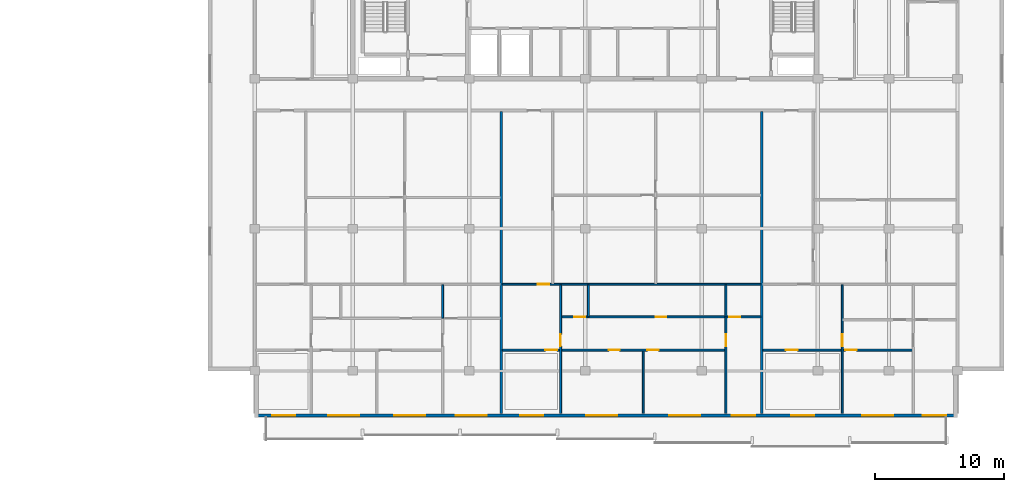
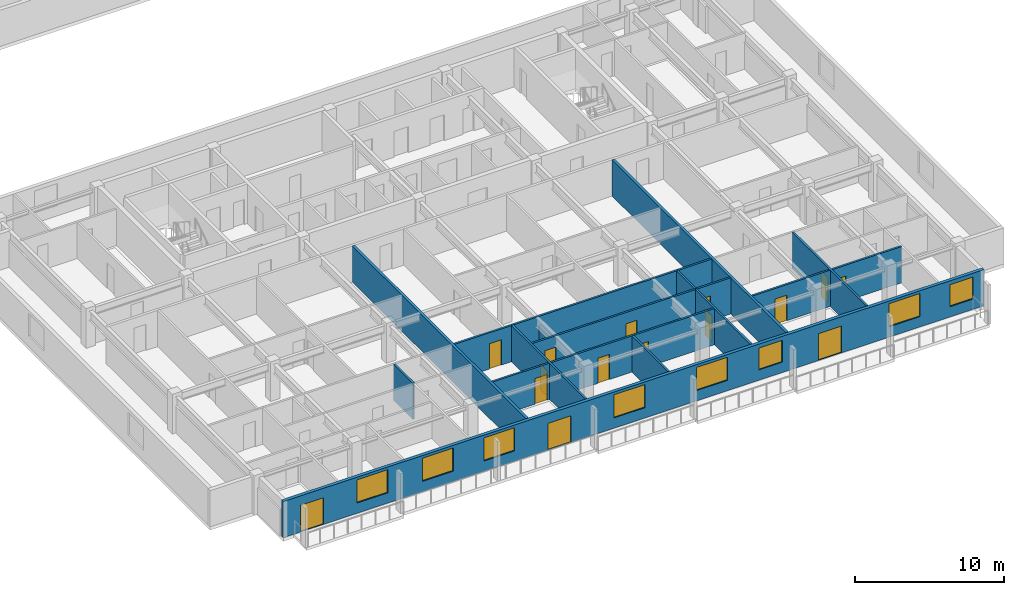
# One storey, part 5 of 24: 15 doors, 14 walls, 8 windows, 23 openings.
"""IFC4 building model written with IfcOpenShell, lengths in metres."""

from ifc_helpers import new_model, si_unit, direction, frame, frame_2d, origin, place, context, subcontext, project, spatial, rectangle, extrude, material, layer, layer_set, type_object, element, fill, save


model = new_model("IFC4")

# Units and contexts
model_context = context("Model", 3, precision=1e-05, world=origin(), true_north=direction((0.0, 1.0)))
body_context = subcontext(model_context, "Body", "Model", "MODEL_VIEW")
ifc_project = project(units=[si_unit("LENGTHUNIT", "METRE"), si_unit("AREAUNIT", "SQUARE_METRE"), si_unit("VOLUMEUNIT", "CUBIC_METRE"), si_unit("PLANEANGLEUNIT", "RADIAN"), si_unit("MASSUNIT", "GRAM", prefix="KILO")], contexts=[model_context])

# Site, building, storey
site_placement = place(None, origin())
site = spatial("IfcSite", under=ifc_project, at=site_placement, CompositionType="ELEMENT")
building_placement = place(site_placement, origin())
building = spatial("IfcBuilding", under=site, at=building_placement, Name="Korimba Cascade Residences", CompositionType="ELEMENT")
storey_placement = place(building_placement, frame((0.0, 0.0, 168.60009765625)))
storey = spatial("IfcBuildingStorey", under=building, at=storey_placement, Name="L48", CompositionType="ELEMENT", Elevation=168.60009765625)

# Wall, openings, doors, windows
ifc_material_1 = material(Name="Precast concrete C40/50", Category="concrete")
ifc_layer_1 = layer(ifc_material_1, 0.25)
ifc_layer_set_1 = layer_set([ifc_layer_1], Name="Precast concrete C40/50")
wall_type_1 = type_object("IfcWallType", Name="EW-LOG-250", PredefinedType="STANDARD", material=ifc_layer_set_1)
wall_1_placement = place(storey_placement, frame((74.5, -7.64990234375, 0.0), z_axis=(0.0, 0.0, 1.0), x_axis=(1.0, 0.0, 0.0)))
wall_1 = element("IfcWall", 1, at=wall_1_placement, inside=storey, type_object=wall_type_1, Name="L48 T2 Perimeter Stone Wall E00", PredefinedType="STANDARD", context=body_context, shape_type="SweptSolid", body=[
    extrude(rectangle(XDim=54.39990234375, YDim=0.25, at=frame_2d((27.199951171875, 0.0))), origin(), (0.0, 0.0, 1.0), 2.969970703125),
])
opening_1_placement = place(wall_1_placement, frame((5.71484375, 0.0, 0.85009765625)))
opening_1 = element("IfcOpeningElement", 2, at=opening_1_placement, cuts=wall_1, Name="Opening W-01", PredefinedType="OPENING", context=body_context, shape_type="SweptSolid", body=[
    extrude(rectangle(XDim=2.39990234375, YDim=1.89990234375, at=frame_2d((1.199951171875, 0.949951171875))), frame((0.0, 0.135009765625, 0.0), z_axis=(0.0, -1.0, 0.0), x_axis=(1.0, 0.0, 0.0)), (0.0, 0.0, 1.0), 0.27001953125),
])
opening_2_placement = place(wall_1_placement, frame((10.804443359375, 0.0, 0.85009765625)))
opening_2 = element("IfcOpeningElement", 3, at=opening_2_placement, cuts=wall_1, Name="Opening W-01", PredefinedType="OPENING", context=body_context, shape_type="SweptSolid", body=[
    extrude(rectangle(XDim=2.39990234375, YDim=1.89990234375, at=frame_2d((1.199951171875, 0.949951171875))), frame((0.0, 0.135009765625, 0.0), z_axis=(0.0, -1.0, 0.0), x_axis=(1.0, 0.0, 0.0)), (0.0, 0.0, 1.0), 0.27001953125),
])
opening_3_placement = place(wall_1_placement, frame((1.344970703125, 0.0, 0.0)))
opening_3 = element("IfcOpeningElement", 4, at=opening_3_placement, cuts=wall_1, Name="Opening D-LG1", PredefinedType="OPENING", context=body_context, shape_type="SweptSolid", body=[
    extrude(rectangle(XDim=1.800048828125, YDim=2.199951171875, at=frame_2d((0.89990234375, 1.10009765625))), frame((0.0, 0.135009765625, 0.0), z_axis=(0.0, -1.0, 0.0), x_axis=(1.0, 0.0, 0.0)), (0.0, 0.0, 1.0), 0.27001953125),
])
opening_4_placement = place(wall_1_placement, frame((15.564208984375, 0.0, 0.85009765625)))
opening_4 = element("IfcOpeningElement", 5, at=opening_4_placement, cuts=wall_1, Name="Opening W-01", PredefinedType="OPENING", context=body_context, shape_type="SweptSolid", body=[
    extrude(rectangle(XDim=2.39990234375, YDim=1.89990234375, at=frame_2d((1.199951171875, 0.949951171875))), frame((0.0, 0.135009765625, 0.0), z_axis=(0.0, -1.0, 0.0), x_axis=(1.0, 0.0, 0.0)), (0.0, 0.0, 1.0), 0.27001953125),
])
opening_5_placement = place(wall_1_placement, frame((25.679443359375, 0.0, 0.85009765625)))
opening_5 = element("IfcOpeningElement", 6, at=opening_5_placement, cuts=wall_1, Name="Opening W-01", PredefinedType="OPENING", context=body_context, shape_type="SweptSolid", body=[
    extrude(rectangle(XDim=2.39990234375, YDim=1.89990234375, at=frame_2d((1.199951171875, 0.949951171875))), frame((0.0, 0.135009765625, 0.0), z_axis=(0.0, -1.0, 0.0), x_axis=(1.0, 0.0, 0.0)), (0.0, 0.0, 1.0), 0.27001953125),
])
opening_6_placement = place(wall_1_placement, frame((32.079833984375, 0.0, 0.85009765625)))
opening_6 = element("IfcOpeningElement", 7, at=opening_6_placement, cuts=wall_1, Name="Opening W-01", PredefinedType="OPENING", context=body_context, shape_type="SweptSolid", body=[
    extrude(rectangle(XDim=2.39990234375, YDim=1.89990234375, at=frame_2d((1.199951171875, 0.949951171875))), frame((0.0, 0.135009765625, 0.0), z_axis=(0.0, -1.0, 0.0), x_axis=(1.0, 0.0, 0.0)), (0.0, 0.0, 1.0), 0.27001953125),
])
opening_7_placement = place(wall_1_placement, frame((20.54931640625, 0.0, 0.0)))
opening_7 = element("IfcOpeningElement", 8, at=opening_7_placement, cuts=wall_1, Name="Opening D-LG1", PredefinedType="OPENING", context=body_context, shape_type="SweptSolid", body=[
    extrude(rectangle(XDim=1.800048828125, YDim=2.199951171875, at=frame_2d((0.89990234375, 1.10009765625))), frame((0.0, 0.135009765625, 0.0), z_axis=(0.0, -1.0, 0.0), x_axis=(1.0, 0.0, 0.0)), (0.0, 0.0, 1.0), 0.27001953125),
])
opening_8_placement = place(wall_1_placement, frame((36.935302734375, 0.0, 0.85009765625)))
opening_8 = element("IfcOpeningElement", 9, at=opening_8_placement, cuts=wall_1, Name="Opening W-02", PredefinedType="OPENING", context=body_context, shape_type="SweptSolid", body=[
    extrude(rectangle(XDim=1.800048828125, YDim=1.800048828125, at=frame_2d((0.89990234375, 0.89990234375))), frame((0.0, 0.135009765625, 0.0), z_axis=(0.0, -1.0, 0.0), x_axis=(1.0, 0.0, 0.0)), (0.0, 0.0, 1.0), 0.27001953125),
])
opening_9_placement = place(wall_1_placement, frame((47.030029296875, 0.0, 0.85009765625)))
opening_9 = element("IfcOpeningElement", 10, at=opening_9_placement, cuts=wall_1, Name="Opening W-01", PredefinedType="OPENING", context=body_context, shape_type="SweptSolid", body=[
    extrude(rectangle(XDim=2.39990234375, YDim=1.89990234375, at=frame_2d((1.199951171875, 0.949951171875))), frame((0.0, 0.135009765625, 0.0), z_axis=(0.0, -1.0, 0.0), x_axis=(1.0, 0.0, 0.0)), (0.0, 0.0, 1.0), 0.27001953125),
])
opening_10_placement = place(wall_1_placement, frame((41.5302734375, 0.0, 0.0)))
opening_10 = element("IfcOpeningElement", 11, at=opening_10_placement, cuts=wall_1, Name="Opening D-LG1", PredefinedType="OPENING", context=body_context, shape_type="SweptSolid", body=[
    extrude(rectangle(XDim=1.800048828125, YDim=2.199951171875, at=frame_2d((0.89990234375, 1.10009765625))), frame((0.0, 0.135009765625, 0.0), z_axis=(0.0, -1.0, 0.0), x_axis=(1.0, 0.0, 0.0)), (0.0, 0.0, 1.0), 0.27001953125),
])
opening_11_placement = place(wall_1_placement, frame((51.72998046875, 0.0, 0.85009765625)))
opening_11 = element("IfcOpeningElement", 12, at=opening_11_placement, cuts=wall_1, Name="Opening W-02", PredefinedType="OPENING", context=body_context, shape_type="SweptSolid", body=[
    extrude(rectangle(XDim=1.800048828125, YDim=1.800048828125, at=frame_2d((0.89990234375, 0.89990234375))), frame((0.0, 0.135009765625, 0.0), z_axis=(0.0, -1.0, 0.0), x_axis=(1.0, 0.0, 0.0)), (0.0, 0.0, 1.0), 0.27001953125),
])
ifc_material_2 = material(Name="Glazed Aluminium Loggia Sliding Door", Category="aluminium")
door_type_1 = type_object("IfcDoorType", Name="DR-EXT-LOG", OperationType="NOTDEFINED", PredefinedType="DOOR", material=ifc_material_2)
door_1_placement = place(opening_3_placement, origin())
door_1 = element("IfcDoor", 13, at=door_1_placement, inside=storey, type_object=door_type_1, Name="L48 T2 Loggia Sliding Door 5", OperationType="SLIDING_TO_RIGHT", OverallHeight=2.199951171875, OverallWidth=1.800048828125, PredefinedType="DOOR", context=body_context, shape_type="SweptSolid", body=[
    extrude(rectangle(XDim=1.800048828125, YDim=2.199951171875, at=frame_2d((0.89990234375, 1.10009765625))), frame((0.0, 0.02490234375, 0.0), z_axis=(0.0, -1.0, 0.0), x_axis=(1.0, 0.0, 0.0)), (0.0, 0.0, 1.0), 0.050048828125),
])
fill(opening_3, door_1)
door_2_placement = place(opening_7_placement, origin())
door_2 = element("IfcDoor", 14, at=door_2_placement, inside=storey, type_object=door_type_1, Name="L48 T2 Loggia Sliding Door 9", OperationType="SLIDING_TO_RIGHT", OverallHeight=2.199951171875, OverallWidth=1.800048828125, PredefinedType="DOOR", context=body_context, shape_type="SweptSolid", body=[
    extrude(rectangle(XDim=1.800048828125, YDim=2.199951171875, at=frame_2d((0.89990234375, 1.10009765625))), frame((0.0, 0.02490234375, 0.0), z_axis=(0.0, -1.0, 0.0), x_axis=(1.0, 0.0, 0.0)), (0.0, 0.0, 1.0), 0.050048828125),
])
fill(opening_7, door_2)
door_3_placement = place(opening_10_placement, origin())
door_3 = element("IfcDoor", 15, at=door_3_placement, inside=storey, type_object=door_type_1, Name="L48 T2 Loggia Sliding Door 12", OperationType="SLIDING_TO_RIGHT", OverallHeight=2.199951171875, OverallWidth=1.800048828125, PredefinedType="DOOR", context=body_context, shape_type="SweptSolid", body=[
    extrude(rectangle(XDim=1.800048828125, YDim=2.199951171875, at=frame_2d((0.89990234375, 1.10009765625))), frame((0.0, 0.02490234375, 0.0), z_axis=(0.0, -1.0, 0.0), x_axis=(1.0, 0.0, 0.0)), (0.0, 0.0, 1.0), 0.050048828125),
])
fill(opening_10, door_3)
ifc_material_3 = material(Name="Double-Glazed Aluminium Window", Category="aluminium")
window_type_1 = type_object("IfcWindowType", Name="WIN-BED-1800", PartitioningType="SINGLE_PANEL", PredefinedType="WINDOW", material=ifc_material_3)
window_1_placement = place(opening_8_placement, origin())
window_1 = element("IfcWindow", 16, at=window_1_placement, inside=storey, type_object=window_type_1, Name="L48 T2 South Facade Window 10", OverallHeight=1.800048828125, OverallWidth=1.800048828125, PartitioningType="SINGLE_PANEL", PredefinedType="WINDOW", context=body_context, shape_type="SweptSolid", body=[
    extrude(rectangle(XDim=1.800048828125, YDim=1.800048828125, at=frame_2d((0.89990234375, 0.89990234375))), frame((0.0, 0.030029296875, 0.0), z_axis=(0.0, -1.0, 0.0), x_axis=(1.0, 0.0, 0.0)), (0.0, 0.0, 1.0), 0.06005859375),
])
fill(opening_8, window_1)
window_2_placement = place(opening_11_placement, origin())
window_2 = element("IfcWindow", 17, at=window_2_placement, inside=storey, type_object=window_type_1, Name="L48 T2 South Facade Window 13", OverallHeight=1.800048828125, OverallWidth=1.800048828125, PartitioningType="SINGLE_PANEL", PredefinedType="WINDOW", context=body_context, shape_type="SweptSolid", body=[
    extrude(rectangle(XDim=1.800048828125, YDim=1.800048828125, at=frame_2d((0.89990234375, 0.89990234375))), frame((0.0, 0.030029296875, 0.0), z_axis=(0.0, -1.0, 0.0), x_axis=(1.0, 0.0, 0.0)), (0.0, 0.0, 1.0), 0.06005859375),
])
fill(opening_11, window_2)
window_type_2 = type_object("IfcWindowType", Name="WIN-RES-2400", PartitioningType="DOUBLE_PANEL_VERTICAL", PredefinedType="WINDOW", material=ifc_material_3)
window_3_placement = place(opening_1_placement, origin())
window_3 = element("IfcWindow", 18, at=window_3_placement, inside=storey, type_object=window_type_2, Name="L48 T2 South Facade Window 3", OverallHeight=1.89990234375, OverallWidth=2.39990234375, PartitioningType="DOUBLE_PANEL_VERTICAL", PredefinedType="WINDOW", context=body_context, shape_type="SweptSolid", body=[
    extrude(rectangle(XDim=2.39990234375, YDim=1.89990234375, at=frame_2d((1.199951171875, 0.949951171875))), frame((0.0, 0.030029296875, 0.0), z_axis=(0.0, -1.0, 0.0), x_axis=(1.0, 0.0, 0.0)), (0.0, 0.0, 1.0), 0.06005859375),
])
fill(opening_1, window_3)
window_4_placement = place(opening_2_placement, origin())
window_4 = element("IfcWindow", 19, at=window_4_placement, inside=storey, type_object=window_type_2, Name="L48 T2 South Facade Window 4", OverallHeight=1.89990234375, OverallWidth=2.39990234375, PartitioningType="DOUBLE_PANEL_VERTICAL", PredefinedType="WINDOW", context=body_context, shape_type="SweptSolid", body=[
    extrude(rectangle(XDim=2.39990234375, YDim=1.89990234375, at=frame_2d((1.199951171875, 0.949951171875))), frame((0.0, 0.030029296875, 0.0), z_axis=(0.0, -1.0, 0.0), x_axis=(1.0, 0.0, 0.0)), (0.0, 0.0, 1.0), 0.06005859375),
])
fill(opening_2, window_4)
window_5_placement = place(opening_4_placement, origin())
window_5 = element("IfcWindow", 20, at=window_5_placement, inside=storey, type_object=window_type_2, Name="L48 T2 South Facade Window 6", OverallHeight=1.89990234375, OverallWidth=2.39990234375, PartitioningType="DOUBLE_PANEL_VERTICAL", PredefinedType="WINDOW", context=body_context, shape_type="SweptSolid", body=[
    extrude(rectangle(XDim=2.39990234375, YDim=1.89990234375, at=frame_2d((1.199951171875, 0.949951171875))), frame((0.0, 0.030029296875, 0.0), z_axis=(0.0, -1.0, 0.0), x_axis=(1.0, 0.0, 0.0)), (0.0, 0.0, 1.0), 0.06005859375),
])
fill(opening_4, window_5)
window_6_placement = place(opening_5_placement, origin())
window_6 = element("IfcWindow", 21, at=window_6_placement, inside=storey, type_object=window_type_2, Name="L48 T2 South Facade Window 7", OverallHeight=1.89990234375, OverallWidth=2.39990234375, PartitioningType="DOUBLE_PANEL_VERTICAL", PredefinedType="WINDOW", context=body_context, shape_type="SweptSolid", body=[
    extrude(rectangle(XDim=2.39990234375, YDim=1.89990234375, at=frame_2d((1.199951171875, 0.949951171875))), frame((0.0, 0.030029296875, 0.0), z_axis=(0.0, -1.0, 0.0), x_axis=(1.0, 0.0, 0.0)), (0.0, 0.0, 1.0), 0.06005859375),
])
fill(opening_5, window_6)
window_7_placement = place(opening_6_placement, origin())
window_7 = element("IfcWindow", 22, at=window_7_placement, inside=storey, type_object=window_type_2, Name="L48 T2 South Facade Window 8", OverallHeight=1.89990234375, OverallWidth=2.39990234375, PartitioningType="DOUBLE_PANEL_VERTICAL", PredefinedType="WINDOW", context=body_context, shape_type="SweptSolid", body=[
    extrude(rectangle(XDim=2.39990234375, YDim=1.89990234375, at=frame_2d((1.199951171875, 0.949951171875))), frame((0.0, 0.030029296875, 0.0), z_axis=(0.0, -1.0, 0.0), x_axis=(1.0, 0.0, 0.0)), (0.0, 0.0, 1.0), 0.06005859375),
])
fill(opening_6, window_7)
window_8_placement = place(opening_9_placement, origin())
window_8 = element("IfcWindow", 23, at=window_8_placement, inside=storey, type_object=window_type_2, Name="L48 T2 South Facade Window 11", OverallHeight=1.89990234375, OverallWidth=2.39990234375, PartitioningType="DOUBLE_PANEL_VERTICAL", PredefinedType="WINDOW", context=body_context, shape_type="SweptSolid", body=[
    extrude(rectangle(XDim=2.39990234375, YDim=1.89990234375, at=frame_2d((1.199951171875, 0.949951171875))), frame((0.0, 0.030029296875, 0.0), z_axis=(0.0, -1.0, 0.0), x_axis=(1.0, 0.0, 0.0)), (0.0, 0.0, 1.0), 0.06005859375),
])
fill(opening_9, window_8)

# Walls
ifc_layer_2 = layer(ifc_material_1, 0.199951171875)
ifc_layer_set_2 = layer_set([ifc_layer_2], Name="Precast concrete C40/50")
wall_type_2 = type_object("IfcWallType", Name="WAL-IT-200", PredefinedType="PARTITIONING", material=ifc_layer_set_2)
for number, where, z_axis, x_axis, name in (
    (24, (93.59912109375, -7.5, 0.0), (0.0, 0.0, 1.0), (0.0, 1.0, 0.0), "L48 Partition Wall WAL-L48-T2-DEM-1"),
    (25, (113.760498046875, -7.5, 0.0), (0.0, 0.0, 1.0), (0.0, 1.0, 0.0), "L48 Partition Wall WAL-L48-T2-DEM-2"),
):
    element("IfcWall", number, at=place(storey_placement, frame(where, z_axis=z_axis, x_axis=x_axis)), inside=storey, type_object=wall_type_2, Name=name, PredefinedType="PARTITIONING", context=body_context, shape_type="SweptSolid", body=[
        extrude(rectangle(XDim=23.3701171875, YDim=0.199951171875, at=frame_2d((11.68505859375, 0.0))), origin(), (0.0, 0.0, 1.0), 2.969970703125),
    ])
ifc_material_4 = material(Name="Insulated Acoustic Stud Partition", Category="gypsum")
ifc_layer_3 = layer(ifc_material_4, 0.14990234375)
ifc_layer_set_3 = layer_set([ifc_layer_3], Name="Insulated Acoustic Stud Partition")
wall_type_3 = type_object("IfcWallType", Name="WAL-PART-150", PredefinedType="PARTITIONING", material=ifc_layer_set_3)
wall_2_placement = place(storey_placement, frame((89.04931640625, -0.1201171875, 0.0), z_axis=(0.0, 0.0, 1.0), x_axis=(0.0, 1.0, 0.0)))
element("IfcWall", 26, at=wall_2_placement, inside=storey, type_object=wall_type_3, Name="L48 Partition Wall WAL-L48-T2-U01-VBATH", PredefinedType="PARTITIONING", context=body_context, shape_type="SweptSolid", body=[
    extrude(rectangle(XDim=2.580078125, YDim=0.14990234375, at=frame_2d((1.2900390625, 0.0))), origin(), (0.0, 0.0, 1.0), 2.969970703125),
])
wall_3_placement = place(storey_placement, frame((100.3291015625, -0.010009765625, 0.0), z_axis=(0.0, 0.0, 1.0), x_axis=(0.0, 1.0, 0.0)))
element("IfcWall", 27, at=wall_3_placement, inside=storey, type_object=wall_type_3, Name="L48 Partition Wall WAL-L48-T2-U02-VDRS", PredefinedType="PARTITIONING", context=body_context, shape_type="SweptSolid", body=[
    extrude(rectangle(XDim=2.469970703125, YDim=0.14990234375, at=frame_2d((1.23486328125, 0.0))), origin(), (0.0, 0.0, 1.0), 2.2001953125),
])
wall_4_placement = place(storey_placement, frame((104.57958984375, -7.5, 0.0), z_axis=(0.0, 0.0, 1.0), x_axis=(0.0, 1.0, 0.0)))
element("IfcWall", 28, at=wall_4_placement, inside=storey, type_object=wall_type_3, Name="L48 Partition Wall WAL-L48-T2-U02-VB3", PredefinedType="PARTITIONING", context=body_context, shape_type="SweptSolid", body=[
    extrude(rectangle(XDim=4.820068359375, YDim=0.14990234375, at=frame_2d((2.41015625, 0.0))), origin(), (0.0, 0.0, 1.0), 2.969970703125),
])

# Wall, opening, door
wall_5_placement = place(storey_placement, frame((98.17919921875, -7.5, 0.0), z_axis=(0.0, 0.0, 1.0), x_axis=(0.0, 1.0, 0.0)))
wall_5 = element("IfcWall", 29, at=wall_5_placement, inside=storey, type_object=wall_type_3, Name="L48 Partition Wall WAL-L48-T2-U02-V1", PredefinedType="PARTITIONING", context=body_context, shape_type="SweptSolid", body=[
    extrude(rectangle(XDim=9.9599609375, YDim=0.14990234375, at=frame_2d((4.97998046875, 0.0))), origin(), (0.0, 0.0, 1.0), 2.969970703125),
])
opening_12_placement = place(wall_5_placement, frame((5.219970703125, 0.0, 0.0)))
opening_12 = element("IfcOpeningElement", 30, at=opening_12_placement, cuts=wall_5, Name="Opening D-IN1", PredefinedType="OPENING", context=body_context, shape_type="SweptSolid", body=[
    extrude(rectangle(XDim=0.919921875, YDim=2.080078125, at=frame_2d((0.4599609375, 1.0400390625))), frame((0.0, 0.0849609375, 0.0), z_axis=(0.0, -1.0, 0.0), x_axis=(1.0, 0.0, 0.0)), (0.0, 0.0, 1.0), 0.169921875),
])
ifc_material_5 = material(Name="Acoustic Timber Living Door", Category="wood")
door_type_2 = type_object("IfcDoorType", Name="DR-INT-920", OperationType="NOTDEFINED", PredefinedType="DOOR", material=ifc_material_5)
door_4_placement = place(opening_12_placement, origin())
door_4 = element("IfcDoor", 31, at=door_4_placement, inside=storey, type_object=door_type_2, Name="L48-T2-U02 Hallway Door", OperationType="SINGLE_SWING_LEFT", OverallHeight=2.080078125, OverallWidth=0.919921875, PredefinedType="DOOR", context=body_context, shape_type="SweptSolid", body=[
    extrude(rectangle(XDim=0.919921875, YDim=2.080078125, at=frame_2d((0.4599609375, 1.0400390625))), frame((0.0, 0.02490234375, 0.0), z_axis=(0.0, -1.0, 0.0), x_axis=(1.0, 0.0, 0.0)), (0.0, 0.0, 1.0), 0.050048828125),
])
fill(opening_12, door_4)

# Wall
wall_6_placement = place(storey_placement, frame((110.97998046875, -0.010009765625, 0.0), z_axis=(0.0, 0.0, 1.0), x_axis=(0.0, 1.0, 0.0)))
element("IfcWall", 32, at=wall_6_placement, inside=storey, type_object=wall_type_3, Name="L48 Partition Wall WAL-L48-T2-U02-VBATH", PredefinedType="PARTITIONING", context=body_context, shape_type="SweptSolid", body=[
    extrude(rectangle(XDim=2.469970703125, YDim=0.14990234375, at=frame_2d((1.23486328125, 0.0))), origin(), (0.0, 0.0, 1.0), 2.969970703125),
])

# Wall, opening, door
wall_7_placement = place(storey_placement, frame((110.97998046875, -7.5, 0.0), z_axis=(0.0, 0.0, 1.0), x_axis=(0.0, 1.0, 0.0)))
wall_7 = element("IfcWall", 33, at=wall_7_placement, inside=storey, type_object=wall_type_3, Name="L48 Partition Wall WAL-L48-T2-U02-V2FULL", PredefinedType="PARTITIONING", context=body_context, shape_type="SweptSolid", body=[
    extrude(rectangle(XDim=7.449951171875, YDim=0.14990234375, at=frame_2d((3.72509765625, 0.0))), origin(), (0.0, 0.0, 1.0), 2.969970703125),
])
opening_13_placement = place(wall_7_placement, frame((5.219970703125, 0.0, 0.0)))
opening_13 = element("IfcOpeningElement", 34, at=opening_13_placement, cuts=wall_7, Name="Opening D-IN1", PredefinedType="OPENING", context=body_context, shape_type="SweptSolid", body=[
    extrude(rectangle(XDim=0.919921875, YDim=2.080078125, at=frame_2d((0.4599609375, 1.0400390625))), frame((0.0, 0.0849609375, 0.0), z_axis=(0.0, -1.0, 0.0), x_axis=(1.0, 0.0, 0.0)), (0.0, 0.0, 1.0), 0.169921875),
])
door_5_placement = place(opening_13_placement, origin())
door_5 = element("IfcDoor", 35, at=door_5_placement, inside=storey, type_object=door_type_2, Name="L48-T2-U02 Master Bedroom Door", OperationType="SINGLE_SWING_RIGHT", OverallHeight=2.080078125, OverallWidth=0.919921875, PredefinedType="DOOR", context=body_context, shape_type="SweptSolid", body=[
    extrude(rectangle(XDim=0.919921875, YDim=2.080078125, at=frame_2d((0.4599609375, 1.0400390625))), frame((0.0, 0.02490234375, 0.0), z_axis=(0.0, -1.0, 0.0), x_axis=(1.0, 0.0, 0.0)), (0.0, 0.0, 1.0), 0.050048828125),
])
fill(opening_13, door_5)

# Wall, openings, doors
wall_8_placement = place(storey_placement, frame((98.21923828125, -0.030029296875, 0.0), z_axis=(0.0, 0.0, 1.0), x_axis=(1.0, 0.0, 0.0)))
wall_8 = element("IfcWall", 36, at=wall_8_placement, inside=storey, type_object=wall_type_3, Name="L48 Partition Wall WAL-L48-T2-U02-HWALL", PredefinedType="PARTITIONING", context=body_context, shape_type="SweptSolid", body=[
    extrude(rectangle(XDim=15.461181640625, YDim=0.14990234375, at=frame_2d((7.73046875, 0.0))), origin(), (0.0, 0.0, 1.0), 2.969970703125),
])
opening_14_placement = place(wall_8_placement, frame((1.033935546875, 0.0, 0.0)))
opening_14 = element("IfcOpeningElement", 37, at=opening_14_placement, cuts=wall_8, Name="Opening D-BT1", PredefinedType="OPENING", context=body_context, shape_type="SweptSolid", body=[
    extrude(rectangle(XDim=0.840087890625, YDim=2.0400390625, at=frame_2d((0.419921875, 1.02001953125))), frame((0.0, 0.0849609375, 0.0), z_axis=(0.0, -1.0, 0.0), x_axis=(1.0, 0.0, 0.0)), (0.0, 0.0, 1.0), 0.169921875),
])
opening_15_placement = place(wall_8_placement, frame((7.310546875, 0.0, 0.0)))
opening_15 = element("IfcOpeningElement", 38, at=opening_15_placement, cuts=wall_8, Name="Opening D-BT1", PredefinedType="OPENING", context=body_context, shape_type="SweptSolid", body=[
    extrude(rectangle(XDim=0.840087890625, YDim=2.0400390625, at=frame_2d((0.419921875, 1.02001953125))), frame((0.0, 0.0849609375, 0.0), z_axis=(0.0, -1.0, 0.0), x_axis=(1.0, 0.0, 0.0)), (0.0, 0.0, 1.0), 0.169921875),
])
opening_16_placement = place(wall_8_placement, frame((13.0107421875, 0.0, 0.0)))
opening_16 = element("IfcOpeningElement", 39, at=opening_16_placement, cuts=wall_8, Name="Opening D-BT1", PredefinedType="OPENING", context=body_context, shape_type="SweptSolid", body=[
    extrude(rectangle(XDim=0.840087890625, YDim=2.0400390625, at=frame_2d((0.419921875, 1.02001953125))), frame((0.0, 0.0849609375, 0.0), z_axis=(0.0, -1.0, 0.0), x_axis=(1.0, 0.0, 0.0)), (0.0, 0.0, 1.0), 0.169921875),
])
ifc_material_6 = material(Name="Moisture-Resistant Bathroom Timber Door", Category="wood")
door_type_3 = type_object("IfcDoorType", Name="DR-INT-850", OperationType="NOTDEFINED", PredefinedType="DOOR", material=ifc_material_6)
door_6_placement = place(opening_14_placement, origin())
door_6 = element("IfcDoor", 40, at=door_6_placement, inside=storey, type_object=door_type_3, Name="L48-T2-U02 Family Bathroom Door", OperationType="SINGLE_SWING_LEFT", OverallHeight=2.0400390625, OverallWidth=0.840087890625, PredefinedType="DOOR", context=body_context, shape_type="SweptSolid", body=[
    extrude(rectangle(XDim=0.840087890625, YDim=2.0400390625, at=frame_2d((0.419921875, 1.02001953125))), frame((0.0, 0.02490234375, 0.0), z_axis=(0.0, -1.0, 0.0), x_axis=(1.0, 0.0, 0.0)), (0.0, 0.0, 1.0), 0.050048828125),
])
fill(opening_14, door_6)
door_7_placement = place(opening_15_placement, origin())
door_7 = element("IfcDoor", 41, at=door_7_placement, inside=storey, type_object=door_type_3, Name="L48-T2-U02 Dressing Room Door", OperationType="SINGLE_SWING_RIGHT", OverallHeight=2.0400390625, OverallWidth=0.840087890625, PredefinedType="DOOR", context=body_context, shape_type="SweptSolid", body=[
    extrude(rectangle(XDim=0.840087890625, YDim=2.0400390625, at=frame_2d((0.419921875, 1.02001953125))), frame((0.0, 0.02490234375, 0.0), z_axis=(0.0, -1.0, 0.0), x_axis=(1.0, 0.0, 0.0)), (0.0, 0.0, 1.0), 0.050048828125),
])
fill(opening_15, door_7)
door_8_placement = place(opening_16_placement, origin())
door_8 = element("IfcDoor", 42, at=door_8_placement, inside=storey, type_object=door_type_3, Name="L48-T2-U02 En-Suite Door", OperationType="SINGLE_SWING_LEFT", OverallHeight=2.0400390625, OverallWidth=0.840087890625, PredefinedType="DOOR", context=body_context, shape_type="SweptSolid", body=[
    extrude(rectangle(XDim=0.840087890625, YDim=2.0400390625, at=frame_2d((0.419921875, 1.02001953125))), frame((0.0, 0.02490234375, 0.0), z_axis=(0.0, -1.0, 0.0), x_axis=(1.0, 0.0, 0.0)), (0.0, 0.0, 1.0), 0.050048828125),
])
fill(opening_16, door_8)

# Wall, opening, door
wall_9_placement = place(storey_placement, frame((93.67919921875, 2.5, 0.0), z_axis=(0.0, 0.0, 1.0), x_axis=(1.0, 0.0, 0.0)))
wall_9 = element("IfcWall", 43, at=wall_9_placement, inside=storey, type_object=wall_type_3, Name="L48 Partition Wall WAL-L48-T2-U02-MW", PredefinedType="PARTITIONING", context=body_context, shape_type="SweptSolid", body=[
    extrude(rectangle(XDim=20.001220703125, YDim=0.14990234375, at=frame_2d((10.00048828125, 0.0))), origin(), (0.0, 0.0, 1.0), 2.969970703125),
])
opening_17_placement = place(wall_9_placement, frame((2.719970703125, 0.0, 0.0)))
opening_17 = element("IfcOpeningElement", 44, at=opening_17_placement, cuts=wall_9, Name="Opening D-IN1", PredefinedType="OPENING", context=body_context, shape_type="SweptSolid", body=[
    extrude(rectangle(XDim=0.919921875, YDim=2.080078125, at=frame_2d((0.4599609375, 1.0400390625))), frame((0.0, 0.0849609375, 0.0), z_axis=(0.0, -1.0, 0.0), x_axis=(1.0, 0.0, 0.0)), (0.0, 0.0, 1.0), 0.169921875),
])
door_9_placement = place(opening_17_placement, origin())
door_9 = element("IfcDoor", 45, at=door_9_placement, inside=storey, type_object=door_type_2, Name="L48-T2-U02 Kitchen Door", OperationType="SINGLE_SWING_RIGHT", OverallHeight=2.080078125, OverallWidth=0.919921875, PredefinedType="DOOR", context=body_context, shape_type="SweptSolid", body=[
    extrude(rectangle(XDim=0.919921875, YDim=2.080078125, at=frame_2d((0.4599609375, 1.0400390625))), frame((0.0, 0.02490234375, 0.0), z_axis=(0.0, -1.0, 0.0), x_axis=(1.0, 0.0, 0.0)), (0.0, 0.0, 1.0), 0.050048828125),
])
fill(opening_17, door_9)

# Wall, openings, doors
wall_10_placement = place(storey_placement, frame((93.67919921875, -2.60009765625, 0.0), z_axis=(0.0, 0.0, 1.0), x_axis=(1.0, 0.0, 0.0)))
wall_10 = element("IfcWall", 46, at=wall_10_placement, inside=storey, type_object=wall_type_3, Name="L48 Partition Wall WAL-L48-T2-U02-HZ", PredefinedType="PARTITIONING", context=body_context, shape_type="SweptSolid", body=[
    extrude(rectangle(XDim=17.30078125, YDim=0.14990234375, at=frame_2d((8.650390625, 0.0))), origin(), (0.0, 0.0, 1.0), 2.969970703125),
])
opening_18_placement = place(wall_10_placement, frame((3.31005859375, 0.0, 0.0)))
opening_18 = element("IfcOpeningElement", 47, at=opening_18_placement, cuts=wall_10, Name="Opening D-IN0", PredefinedType="OPENING", context=body_context, shape_type="SweptSolid", body=[
    extrude(rectangle(XDim=0.93994140625, YDim=2.10009765625, at=frame_2d((0.469970703125, 1.050048828125))), frame((0.0, 0.0849609375, 0.0), z_axis=(0.0, -1.0, 0.0), x_axis=(1.0, 0.0, 0.0)), (0.0, 0.0, 1.0), 0.169921875),
])
opening_19_placement = place(wall_10_placement, frame((8.21044921875, 0.0, 0.0)))
opening_19 = element("IfcOpeningElement", 48, at=opening_19_placement, cuts=wall_10, Name="Opening D-IN2", PredefinedType="OPENING", context=body_context, shape_type="SweptSolid", body=[
    extrude(rectangle(XDim=0.8798828125, YDim=2.06005859375, at=frame_2d((0.43994140625, 1.030029296875))), frame((0.0, 0.0849609375, 0.0), z_axis=(0.0, -1.0, 0.0), x_axis=(1.0, 0.0, 0.0)), (0.0, 0.0, 1.0), 0.169921875),
])
opening_20_placement = place(wall_10_placement, frame((11.221923828125, 0.0, 0.0)))
opening_20 = element("IfcOpeningElement", 49, at=opening_20_placement, cuts=wall_10, Name="Opening D-IN2", PredefinedType="OPENING", context=body_context, shape_type="SweptSolid", body=[
    extrude(rectangle(XDim=0.8798828125, YDim=2.06005859375, at=frame_2d((0.43994140625, 1.030029296875))), frame((0.0, 0.0849609375, 0.0), z_axis=(0.0, -1.0, 0.0), x_axis=(1.0, 0.0, 0.0)), (0.0, 0.0, 1.0), 0.169921875),
])
ifc_material_7 = material(Name="Acoustic Timber Bedroom Door", Category="wood")
door_type_4 = type_object("IfcDoorType", Name="DR-INT-880", OperationType="NOTDEFINED", PredefinedType="DOOR", material=ifc_material_7)
door_10_placement = place(opening_19_placement, origin())
door_10 = element("IfcDoor", 50, at=door_10_placement, inside=storey, type_object=door_type_4, Name="L48-T2-U02 Bedroom 2 Door", OperationType="SINGLE_SWING_RIGHT", OverallHeight=2.06005859375, OverallWidth=0.8798828125, PredefinedType="DOOR", context=body_context, shape_type="SweptSolid", body=[
    extrude(rectangle(XDim=0.8798828125, YDim=2.06005859375, at=frame_2d((0.43994140625, 1.030029296875))), frame((0.0, 0.02490234375, 0.0), z_axis=(0.0, -1.0, 0.0), x_axis=(1.0, 0.0, 0.0)), (0.0, 0.0, 1.0), 0.050048828125),
])
fill(opening_19, door_10)
door_11_placement = place(opening_20_placement, origin())
door_11 = element("IfcDoor", 51, at=door_11_placement, inside=storey, type_object=door_type_4, Name="L48-T2-U02 Bedroom 3 Door", OperationType="SINGLE_SWING_LEFT", OverallHeight=2.06005859375, OverallWidth=0.8798828125, PredefinedType="DOOR", context=body_context, shape_type="SweptSolid", body=[
    extrude(rectangle(XDim=0.8798828125, YDim=2.06005859375, at=frame_2d((0.43994140625, 1.030029296875))), frame((0.0, 0.02490234375, 0.0), z_axis=(0.0, -1.0, 0.0), x_axis=(1.0, 0.0, 0.0)), (0.0, 0.0, 1.0), 0.050048828125),
])
fill(opening_20, door_11)
ifc_material_8 = material(Name="Acoustic Timber Living Archway Door", Category="wood")
door_type_5 = type_object("IfcDoorType", Name="DR-INT-950", OperationType="NOTDEFINED", PredefinedType="DOOR", material=ifc_material_8)
door_12_placement = place(opening_18_placement, origin())
door_12 = element("IfcDoor", 52, at=door_12_placement, inside=storey, type_object=door_type_5, Name="L48-T2-U02 Living Room Door", OperationType="SINGLE_SWING_LEFT", OverallHeight=2.10009765625, OverallWidth=0.93994140625, PredefinedType="DOOR", context=body_context, shape_type="SweptSolid", body=[
    extrude(rectangle(XDim=0.93994140625, YDim=2.10009765625, at=frame_2d((0.469970703125, 1.050048828125))), frame((0.0, 0.02490234375, 0.0), z_axis=(0.0, -1.0, 0.0), x_axis=(1.0, 0.0, 0.0)), (0.0, 0.0, 1.0), 0.050048828125),
])
fill(opening_18, door_12)

# Wall, opening, door
wall_11_placement = place(storey_placement, frame((119.97998046875, -7.5, 0.0), z_axis=(0.0, 0.0, 1.0), x_axis=(0.0, 1.0, 0.0)))
wall_11 = element("IfcWall", 53, at=wall_11_placement, inside=storey, type_object=wall_type_3, Name="L48 Partition Wall WAL-L48-T2-U03-V1", PredefinedType="PARTITIONING", context=body_context, shape_type="SweptSolid", body=[
    extrude(rectangle(XDim=9.9599609375, YDim=0.14990234375, at=frame_2d((4.97998046875, 0.0))), origin(), (0.0, 0.0, 1.0), 2.969970703125),
])
opening_21_placement = place(wall_11_placement, frame((5.219970703125, 0.0, 0.0)))
opening_21 = element("IfcOpeningElement", 54, at=opening_21_placement, cuts=wall_11, Name="Opening D-IN1", PredefinedType="OPENING", context=body_context, shape_type="SweptSolid", body=[
    extrude(rectangle(XDim=0.919921875, YDim=2.080078125, at=frame_2d((0.4599609375, 1.0400390625))), frame((0.0, 0.0849609375, 0.0), z_axis=(0.0, -1.0, 0.0), x_axis=(1.0, 0.0, 0.0)), (0.0, 0.0, 1.0), 0.169921875),
])
door_13_placement = place(opening_21_placement, origin())
door_13 = element("IfcDoor", 55, at=door_13_placement, inside=storey, type_object=door_type_2, Name="L48-T2-U03 Hallway Door", OperationType="SINGLE_SWING_LEFT", OverallHeight=2.080078125, OverallWidth=0.919921875, PredefinedType="DOOR", context=body_context, shape_type="SweptSolid", body=[
    extrude(rectangle(XDim=0.919921875, YDim=2.080078125, at=frame_2d((0.4599609375, 1.0400390625))), frame((0.0, 0.02490234375, 0.0), z_axis=(0.0, -1.0, 0.0), x_axis=(1.0, 0.0, 0.0)), (0.0, 0.0, 1.0), 0.050048828125),
])
fill(opening_21, door_13)

# Wall, openings, doors
wall_12_placement = place(storey_placement, frame((113.84033203125, -2.60009765625, 0.0), z_axis=(0.0, 0.0, 1.0), x_axis=(1.0, 0.0, 0.0)))
wall_12 = element("IfcWall", 56, at=wall_12_placement, inside=storey, type_object=wall_type_3, Name="L48 Partition Wall WAL-L48-T2-U03-HZ", PredefinedType="PARTITIONING", context=body_context, shape_type="SweptSolid", body=[
    extrude(rectangle(XDim=11.6396484375, YDim=0.14990234375, at=frame_2d((5.81982421875, 0.0))), origin(), (0.0, 0.0, 1.0), 2.969970703125),
])
opening_22_placement = place(wall_12_placement, frame((1.75390625, 0.0, 0.0)))
opening_22 = element("IfcOpeningElement", 57, at=opening_22_placement, cuts=wall_12, Name="Opening D-IN0", PredefinedType="OPENING", context=body_context, shape_type="SweptSolid", body=[
    extrude(rectangle(XDim=0.93994140625, YDim=2.10009765625, at=frame_2d((0.469970703125, 1.050048828125))), frame((0.0, 0.0849609375, 0.0), z_axis=(0.0, -1.0, 0.0), x_axis=(1.0, 0.0, 0.0)), (0.0, 0.0, 1.0), 0.169921875),
])
opening_23_placement = place(wall_12_placement, frame((6.3896484375, 0.0, 0.0)))
opening_23 = element("IfcOpeningElement", 58, at=opening_23_placement, cuts=wall_12, Name="Opening D-IN2", PredefinedType="OPENING", context=body_context, shape_type="SweptSolid", body=[
    extrude(rectangle(XDim=0.8798828125, YDim=2.06005859375, at=frame_2d((0.43994140625, 1.030029296875))), frame((0.0, 0.0849609375, 0.0), z_axis=(0.0, -1.0, 0.0), x_axis=(1.0, 0.0, 0.0)), (0.0, 0.0, 1.0), 0.169921875),
])
door_14_placement = place(opening_23_placement, origin())
door_14 = element("IfcDoor", 59, at=door_14_placement, inside=storey, type_object=door_type_4, Name="L48-T2-U03 Bedroom 2 Door", OperationType="SINGLE_SWING_LEFT", OverallHeight=2.06005859375, OverallWidth=0.8798828125, PredefinedType="DOOR", context=body_context, shape_type="SweptSolid", body=[
    extrude(rectangle(XDim=0.8798828125, YDim=2.06005859375, at=frame_2d((0.43994140625, 1.030029296875))), frame((0.0, 0.02490234375, 0.0), z_axis=(0.0, -1.0, 0.0), x_axis=(1.0, 0.0, 0.0)), (0.0, 0.0, 1.0), 0.050048828125),
])
fill(opening_23, door_14)
door_15_placement = place(opening_22_placement, origin())
door_15 = element("IfcDoor", 60, at=door_15_placement, inside=storey, type_object=door_type_5, Name="L48-T2-U03 Living Room Door", OperationType="SINGLE_SWING_RIGHT", OverallHeight=2.10009765625, OverallWidth=0.93994140625, PredefinedType="DOOR", context=body_context, shape_type="SweptSolid", body=[
    extrude(rectangle(XDim=0.93994140625, YDim=2.10009765625, at=frame_2d((0.469970703125, 1.050048828125))), frame((0.0, 0.02490234375, 0.0), z_axis=(0.0, -1.0, 0.0), x_axis=(1.0, 0.0, 0.0)), (0.0, 0.0, 1.0), 0.050048828125),
])
fill(opening_22, door_15)

save(model, "model.ifc")
